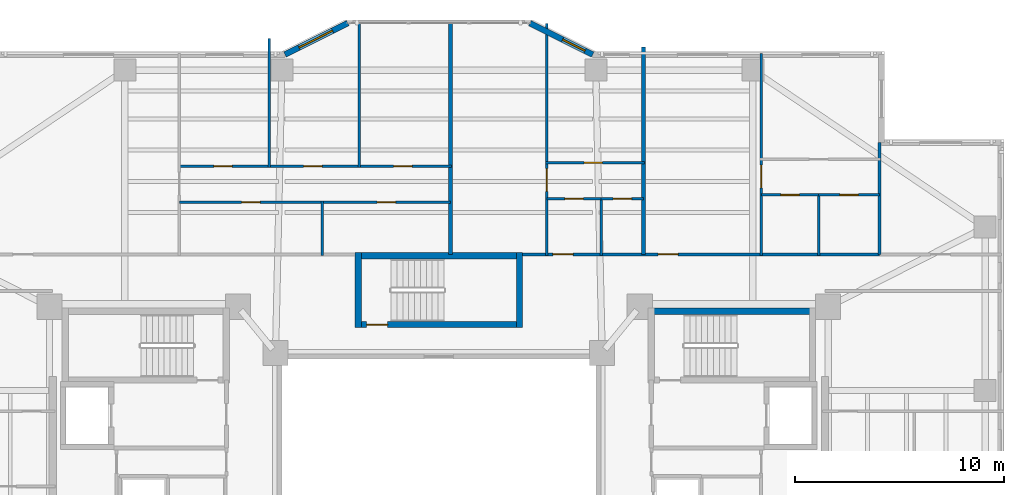
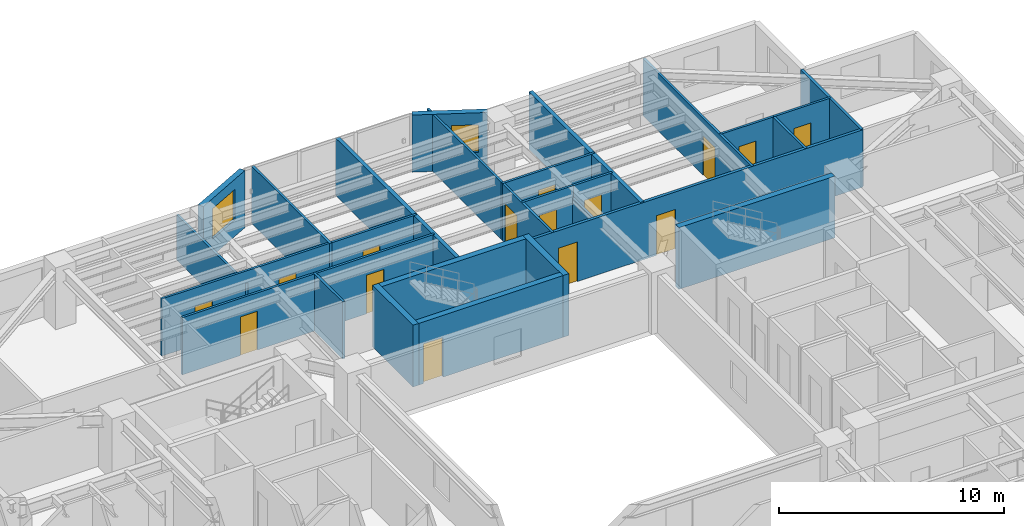
# One storey, part 10 of 18: 26 walls, 15 doors, 2 windows, 17 openings.
"""IFC4 building model written with IfcOpenShell, lengths in metres."""

from ifc_helpers import new_model, si_unit, direction, frame, frame_2d, origin, place, context, subcontext, project, spatial, rectangle, extrude, material, layer, layer_set, type_object, element, fill, save


model = new_model("IFC4")

# Units and contexts
model_context = context("Model", 3, precision=1e-05, world=origin(), true_north=direction((0.0, 1.0)))
body_context = subcontext(model_context, "Body", "Model", "MODEL_VIEW")
ifc_project = project(units=[si_unit("LENGTHUNIT", "METRE"), si_unit("AREAUNIT", "SQUARE_METRE"), si_unit("VOLUMEUNIT", "CUBIC_METRE"), si_unit("PLANEANGLEUNIT", "RADIAN"), si_unit("MASSUNIT", "GRAM", prefix="KILO")], contexts=[model_context])

# Site, building, storey
site_placement = place(None, origin())
site = spatial("IfcSite", under=ifc_project, at=site_placement, CompositionType="ELEMENT")
building_placement = place(site_placement, origin())
building = spatial("IfcBuilding", under=site, at=building_placement, Name="Tarnavaz Court Tower", CompositionType="ELEMENT")
storey_placement = place(building_placement, frame((0.0, 0.0, 95.050048828125)))
storey = spatial("IfcBuildingStorey", under=building, at=storey_placement, Name="L25", CompositionType="ELEMENT", Elevation=95.050048828125)

# Walls
ifc_material_1 = material(Name="Concrete C60/75", Category="concrete")
ifc_layer_1 = layer(ifc_material_1, 0.300048828125)
ifc_layer_set_1 = layer_set([ifc_layer_1], Name="Concrete C60/75")
wall_type_1 = type_object("IfcWallType", Name="WL-CORE-300-C60", PredefinedType="SHEAR", material=ifc_layer_set_1)
for number, where, z_axis, x_axis, name in (
    (1, (10.0, 9.7900390625, 0.0), (0.0, 0.0, 1.0), (1.0, 0.0, 0.0), "L25 East Stair Core Wall 005"),
    (2, (-4.0, 12.43994140625, 0.0), (0.0, 0.0, 1.0), (1.0, 0.0, 0.0), "L25 North Stair Core Wall 009"),
):
    element("IfcWall", number, at=place(storey_placement, frame(where, z_axis=z_axis, x_axis=x_axis)), inside=storey, type_object=wall_type_1, Name=name, PredefinedType="SHEAR", context=body_context, shape_type="SweptSolid", body=[
        extrude(rectangle(XDim=8.0, YDim=0.300048828125, at=frame_2d((4.0, 0.0))), origin(), (0.0, 0.0, 1.0), 3.349853515625),
    ])

# Wall, opening, door
wall_1_placement = place(storey_placement, frame((-4.0, 9.14990234375, 0.0), z_axis=(0.0, 0.0, 1.0), x_axis=(1.0, 0.0, 0.0)))
wall_1 = element("IfcWall", 3, at=wall_1_placement, inside=storey, type_object=wall_type_1, Name="L25 North Stair Core Wall 010", PredefinedType="SHEAR", context=body_context, shape_type="SweptSolid", body=[
    extrude(rectangle(XDim=8.0, YDim=0.300048828125, at=frame_2d((4.0, 0.0))), origin(), (0.0, 0.0, 1.0), 3.349853515625),
])
opening_1_placement = place(wall_1_placement, frame((0.550048828125, 0.0, 0.0)))
opening_1 = element("IfcOpeningElement", 4, at=opening_1_placement, cuts=wall_1, Name="Opening D01", PredefinedType="OPENING", context=body_context, shape_type="SweptSolid", body=[
    extrude(rectangle(XDim=1.0, YDim=2.14990234375, at=frame_2d((0.5, 1.074951171875))), frame((0.0, 0.159912109375, 0.0), z_axis=(0.0, -1.0, 0.0), x_axis=(1.0, 0.0, 0.0)), (0.0, 0.0, 1.0), 0.320068359375),
])
ifc_material_2 = material(Name="Fire-Rated Hardwood Timber Core", Category="wood")
door_type_1 = type_object("IfcDoorType", Name="DR-FD90-1000", OperationType="NOTDEFINED", PredefinedType="DOOR", material=ifc_material_2)
door_1_placement = place(opening_1_placement, origin())
door_1 = element("IfcDoor", 5, at=door_1_placement, inside=storey, type_object=door_type_1, Name="L25 Stair ST-N1 Exit Door", OperationType="SINGLE_SWING_LEFT", OverallHeight=2.14990234375, OverallWidth=1.0, PredefinedType="DOOR", context=body_context, shape_type="SweptSolid", body=[
    extrude(rectangle(XDim=1.0, YDim=2.14990234375, at=frame_2d((0.5, 1.074951171875))), frame((0.0, 0.02490234375, 0.0), z_axis=(0.0, -1.0, 0.0), x_axis=(1.0, 0.0, 0.0)), (0.0, 0.0, 1.0), 0.050048828125),
])
fill(opening_1, door_1)

# Walls
for number, where, z_axis, x_axis, name in (
    (6, (-3.85009765625, 9.0, 0.0), (0.0, 0.0, 1.0), (0.0, 1.0, 0.0), "L25 North Stair Core Wall 011"),
    (7, (3.85009765625, 9.0, 0.0), (0.0, 0.0, 1.0), (0.0, 1.0, 0.0), "L25 North Stair Core Wall 012"),
):
    element("IfcWall", number, at=place(storey_placement, frame(where, z_axis=z_axis, x_axis=x_axis)), inside=storey, type_object=wall_type_1, Name=name, PredefinedType="SHEAR", context=body_context, shape_type="SweptSolid", body=[
        extrude(rectangle(XDim=3.590087890625, YDim=0.300048828125, at=frame_2d((1.794921875, 0.0))), origin(), (0.0, 0.0, 1.0), 3.349853515625),
    ])

# Wall, opening, window
ifc_material_3 = material(Name="Precast Concrete C40/50", Category="concrete")
ifc_layer_2 = layer(ifc_material_3, 0.280029296875)
ifc_layer_set_2 = layer_set([ifc_layer_2], Name="Precast Concrete C40/50")
wall_type_2 = type_object("IfcWallType", Name="WL-EXT-280", PredefinedType="SOLIDWALL", material=ifc_layer_set_2)
wall_2_placement = place(storey_placement, frame((-7.35009765625, 22.050048828125, 0.0), z_axis=(0.0, 0.0, 1.0), x_axis=(0.894427191, 0.4472135955, 0.0)))
wall_2 = element("IfcWall", 8, at=wall_2_placement, inside=storey, type_object=wall_type_2, Name="L25 Exterior Terracotta Facade Wall 06", PredefinedType="SOLIDWALL", context=body_context, shape_type="SweptSolid", body=[
    extrude(rectangle(XDim=3.35400390625, YDim=0.280029296875, at=frame_2d((1.677001953125, 0.0))), origin(), (0.0, 0.0, 1.0), 3.099853515625),
])
opening_2_placement = place(wall_2_placement, frame((0.7470703125, 0.0, 0.89990234375)))
opening_2 = element("IfcOpeningElement", 9, at=opening_2_placement, cuts=wall_2, Name="Opening W01", PredefinedType="OPENING", context=body_context, shape_type="SweptSolid", body=[
    extrude(rectangle(XDim=1.800048828125, YDim=1.64990234375, at=frame_2d((0.89990234375, 0.824951171875))), frame((0.0, 0.14990234375, 0.0), z_axis=(0.0, -1.0, 0.0), x_axis=(1.0, 0.0, 0.0)), (0.0, 0.0, 1.0), 0.300048828125),
])
ifc_material_4 = material(Name="Double-Glazed Solar Low-E Glass", Category="glass")
window_type_1 = type_object("IfcWindowType", Name="WN-APT-1800", PartitioningType="DOUBLE_PANEL_VERTICAL", PredefinedType="WINDOW", material=ifc_material_4)
window_1_placement = place(opening_2_placement, origin())
window_1 = element("IfcWindow", 10, at=window_1_placement, inside=storey, type_object=window_type_1, Name="L25 Flat 01 Bedroom 2 Window", OverallHeight=1.64990234375, OverallWidth=1.800048828125, PartitioningType="SINGLE_PANEL", PredefinedType="WINDOW", context=body_context, shape_type="SweptSolid", body=[
    extrude(rectangle(XDim=1.800048828125, YDim=1.64990234375, at=frame_2d((0.89990234375, 0.824951171875))), frame((0.0, 0.030029296875, 0.0), z_axis=(0.0, -1.0, 0.0), x_axis=(1.0, 0.0, 0.0)), (0.0, 0.0, 1.0), 0.06005859375),
])
fill(opening_2, window_1)

wall_3_placement = place(storey_placement, frame((4.35009765625, 23.550048828125, 0.0), z_axis=(0.0, 0.0, 1.0), x_axis=(0.894427191, -0.4472135955, 0.0)))
wall_3 = element("IfcWall", 11, at=wall_3_placement, inside=storey, type_object=wall_type_2, Name="L25 Exterior Terracotta Facade Wall 08", PredefinedType="SOLIDWALL", context=body_context, shape_type="SweptSolid", body=[
    extrude(rectangle(XDim=3.35400390625, YDim=0.280029296875, at=frame_2d((1.677001953125, 0.0))), origin(), (0.0, 0.0, 1.0), 3.099853515625),
])
opening_3_placement = place(wall_3_placement, frame((1.7529296875, 0.0, 0.949951171875)))
opening_3 = element("IfcOpeningElement", 12, at=opening_3_placement, cuts=wall_3, Name="Opening W05", PredefinedType="OPENING", context=body_context, shape_type="SweptSolid", body=[
    extrude(rectangle(XDim=1.199951171875, YDim=1.5, at=frame_2d((0.60009765625, 0.75))), frame((0.0, 0.14990234375, 0.0), z_axis=(0.0, -1.0, 0.0), x_axis=(1.0, 0.0, 0.0)), (0.0, 0.0, 1.0), 0.300048828125),
])
window_type_2 = type_object("IfcWindowType", Name="WN-APT-1200", PartitioningType="SINGLE_PANEL", PredefinedType="WINDOW", material=ifc_material_4)
window_2_placement = place(opening_3_placement, origin())
window_2 = element("IfcWindow", 13, at=window_2_placement, inside=storey, type_object=window_type_2, Name="L25 Flat 02 Bedroom 1 Window", OverallHeight=1.5, OverallWidth=1.199951171875, PartitioningType="SINGLE_PANEL", PredefinedType="WINDOW", context=body_context, shape_type="SweptSolid", body=[
    extrude(rectangle(XDim=1.199951171875, YDim=1.5, at=frame_2d((0.60009765625, 0.75))), frame((0.0, 0.030029296875, 0.0), z_axis=(0.0, -1.0, 0.0), x_axis=(1.0, 0.0, 0.0)), (0.0, 0.0, 1.0), 0.06005859375),
])
fill(opening_3, window_2)

# Wall, openings, doors
ifc_material_5 = material(Name="Gypsum Fire-Board on Acoustic Metal Stud", Category="masonry")
ifc_layer_3 = layer(ifc_material_5, 0.14990234375)
ifc_layer_set_3 = layer_set([ifc_layer_3], Name="Gypsum Fire-Board on Acoustic Metal Stud")
wall_type_3 = type_object("IfcWallType", Name="WL-FIRE-150", PredefinedType="PARTITIONING", material=ifc_layer_set_3)
wall_4_placement = place(storey_placement, frame((3.85009765625, 12.5, 0.0), z_axis=(0.0, 0.0, 1.0), x_axis=(1.0, 0.0, 0.0)))
wall_4 = element("IfcWall", 14, at=wall_4_placement, inside=storey, type_object=wall_type_3, Name="L25 NE Wing Corridor Wall 072", PredefinedType="PARTITIONING", context=body_context, shape_type="SweptSolid", body=[
    extrude(rectangle(XDim=17.199951171875, YDim=0.14990234375, at=frame_2d((8.60009765625, 0.0))), origin(), (0.0, 0.0, 1.0), 3.099853515625),
])
opening_4_placement = place(wall_4_placement, frame((1.60009765625, 0.0, 0.0)))
opening_4 = element("IfcOpeningElement", 15, at=opening_4_placement, cuts=wall_4, Name="Opening D06", PredefinedType="OPENING", context=body_context, shape_type="SweptSolid", body=[
    extrude(rectangle(XDim=0.9599609375, YDim=2.14990234375, at=frame_2d((0.47998046875, 1.074951171875))), frame((0.0, 0.0849609375, 0.0), z_axis=(0.0, -1.0, 0.0), x_axis=(1.0, 0.0, 0.0)), (0.0, 0.0, 1.0), 0.169921875),
])
opening_5_placement = place(wall_4_placement, frame((6.625, 0.0, 0.0)))
opening_5 = element("IfcOpeningElement", 16, at=opening_5_placement, cuts=wall_4, Name="Opening D06", PredefinedType="OPENING", context=body_context, shape_type="SweptSolid", body=[
    extrude(rectangle(XDim=0.9599609375, YDim=2.14990234375, at=frame_2d((0.47998046875, 1.074951171875))), frame((0.0, 0.0849609375, 0.0), z_axis=(0.0, -1.0, 0.0), x_axis=(1.0, 0.0, 0.0)), (0.0, 0.0, 1.0), 0.169921875),
])
door_type_2 = type_object("IfcDoorType", Name="DR-FD60-950", OperationType="NOTDEFINED", PredefinedType="DOOR", material=ifc_material_2)
door_2_placement = place(opening_4_placement, origin())
door_2 = element("IfcDoor", 17, at=door_2_placement, inside=storey, type_object=door_type_2, Name="L25 Flat 02 Entrance Door", OperationType="SINGLE_SWING_RIGHT", OverallHeight=2.14990234375, OverallWidth=0.9599609375, PredefinedType="DOOR", context=body_context, shape_type="SweptSolid", body=[
    extrude(rectangle(XDim=0.9599609375, YDim=2.14990234375, at=frame_2d((0.47998046875, 1.074951171875))), frame((0.0, 0.02490234375, 0.0), z_axis=(0.0, -1.0, 0.0), x_axis=(1.0, 0.0, 0.0)), (0.0, 0.0, 1.0), 0.050048828125),
])
fill(opening_4, door_2)
door_3_placement = place(opening_5_placement, origin())
door_3 = element("IfcDoor", 18, at=door_3_placement, inside=storey, type_object=door_type_2, Name="L25 Flat 03 Entrance Door", OperationType="SINGLE_SWING_LEFT", OverallHeight=2.14990234375, OverallWidth=0.9599609375, PredefinedType="DOOR", context=body_context, shape_type="SweptSolid", body=[
    extrude(rectangle(XDim=0.9599609375, YDim=2.14990234375, at=frame_2d((0.47998046875, 1.074951171875))), frame((0.0, 0.02490234375, 0.0), z_axis=(0.0, -1.0, 0.0), x_axis=(1.0, 0.0, 0.0)), (0.0, 0.0, 1.0), 0.050048828125),
])
fill(opening_5, door_3)

# Walls
ifc_material_6 = material(Name="Autoclaved Aerated Concrete Blockwork", Category="masonry")
ifc_layer_4 = layer(ifc_material_6, 0.199951171875)
ifc_layer_set_4 = layer_set([ifc_layer_4], Name="Autoclaved Aerated Concrete Blockwork")
wall_type_4 = type_object("IfcWallType", Name="WL-FIRE-200", PredefinedType="SOLIDWALL", material=ifc_layer_set_4)
wall_5_placement = place(storey_placement, frame((0.550048828125, 12.5, 0.0), z_axis=(0.0, 0.0, 1.0), x_axis=(0.0, 1.0, 0.0)))
element("IfcWall", 19, at=wall_5_placement, inside=storey, type_object=wall_type_4, Name="L25 North Center Party Wall 075", PredefinedType="SOLIDWALL", context=body_context, shape_type="SweptSolid", body=[
    extrude(rectangle(XDim=11.080078125, YDim=0.199951171875, at=frame_2d((5.5400390625, 0.0))), origin(), (0.0, 0.0, 1.0), 3.099853515625),
])
wall_6_placement = place(storey_placement, frame((9.77490234375, 12.5, 0.0), z_axis=(0.0, 0.0, 1.0), x_axis=(0.0, 1.0, 0.0)))
element("IfcWall", 20, at=wall_6_placement, inside=storey, type_object=wall_type_4, Name="L25 Party Wall 083", PredefinedType="SOLIDWALL", context=body_context, shape_type="SweptSolid", body=[
    extrude(rectangle(XDim=9.902099609375, YDim=0.199951171875, at=frame_2d((4.951171875, 0.0))), origin(), (0.0, 0.0, 1.0), 3.099853515625),
])

# Wall, opening, door
ifc_material_7 = material(Name="Moisture-Resistant Gypsum Board Partition", Category="masonry")
ifc_layer_5 = layer(ifc_material_7, 0.1201171875)
ifc_layer_set_5 = layer_set([ifc_layer_5], Name="Moisture-Resistant Gypsum Board Partition")
wall_type_5 = type_object("IfcWallType", Name="WL-PART-120", PredefinedType="PARTITIONING", material=ifc_layer_set_5)
wall_7_placement = place(storey_placement, frame((-12.39794921875, 15.0, 0.0), z_axis=(0.0, 0.0, 1.0), x_axis=(1.0, 0.0, 0.0)))
wall_7 = element("IfcWall", 21, at=wall_7_placement, inside=storey, type_object=wall_type_5, Name="L25 Interior Partition 077", PredefinedType="PARTITIONING", context=body_context, shape_type="SweptSolid", body=[
    extrude(rectangle(XDim=6.8310546875, YDim=0.1201171875, at=frame_2d((3.41552734375, 0.0))), origin(), (0.0, 0.0, 1.0), 3.099853515625),
])
opening_6_placement = place(wall_7_placement, frame((2.97509765625, 0.0, 0.0)))
opening_6 = element("IfcOpeningElement", 22, at=opening_6_placement, cuts=wall_7, Name="Opening D14", PredefinedType="OPENING", context=body_context, shape_type="SweptSolid", body=[
    extrude(rectangle(XDim=0.8798828125, YDim=2.10009765625, at=frame_2d((0.43994140625, 1.050048828125))), frame((0.0, 0.070068359375, 0.0), z_axis=(0.0, -1.0, 0.0), x_axis=(1.0, 0.0, 0.0)), (0.0, 0.0, 1.0), 0.14013671875),
])
ifc_material_8 = material(Name="Engineered Oak Timber", Category="wood")
door_type_3 = type_object("IfcDoorType", Name="DR-INT-900", OperationType="NOTDEFINED", PredefinedType="DOOR", material=ifc_material_8)
door_4_placement = place(opening_6_placement, origin())
door_4 = element("IfcDoor", 23, at=door_4_placement, inside=storey, type_object=door_type_3, Name="L25 Flat 01 Kitchen Door", OperationType="SINGLE_SWING_LEFT", OverallHeight=2.10009765625, OverallWidth=0.8798828125, PredefinedType="DOOR", context=body_context, shape_type="SweptSolid", body=[
    extrude(rectangle(XDim=0.8798828125, YDim=2.10009765625, at=frame_2d((0.43994140625, 1.050048828125))), frame((0.0, 0.02490234375, 0.0), z_axis=(0.0, -1.0, 0.0), x_axis=(1.0, 0.0, 0.0)), (0.0, 0.0, 1.0), 0.050048828125),
])
fill(opening_6, door_4)

wall_8_placement = place(storey_placement, frame((-5.56689453125, 15.0, 0.0), z_axis=(0.0, 0.0, 1.0), x_axis=(1.0, 0.0, 0.0)))
wall_8 = element("IfcWall", 24, at=wall_8_placement, inside=storey, type_object=wall_type_5, Name="L25 Interior Partition 078", PredefinedType="PARTITIONING", context=body_context, shape_type="SweptSolid", body=[
    extrude(rectangle(XDim=6.116943359375, YDim=0.1201171875, at=frame_2d((3.05859375, 0.0))), origin(), (0.0, 0.0, 1.0), 3.099853515625),
])
opening_7_placement = place(wall_8_placement, frame((2.618896484375, 0.0, 0.0)))
opening_7 = element("IfcOpeningElement", 25, at=opening_7_placement, cuts=wall_8, Name="Opening D14", PredefinedType="OPENING", context=body_context, shape_type="SweptSolid", body=[
    extrude(rectangle(XDim=0.8798828125, YDim=2.10009765625, at=frame_2d((0.43994140625, 1.050048828125))), frame((0.0, 0.070068359375, 0.0), z_axis=(0.0, -1.0, 0.0), x_axis=(1.0, 0.0, 0.0)), (0.0, 0.0, 1.0), 0.14013671875),
])
door_5_placement = place(opening_7_placement, origin())
door_5 = element("IfcDoor", 26, at=door_5_placement, inside=storey, type_object=door_type_3, Name="L25 Flat 01 Bathroom Door", OperationType="SINGLE_SWING_RIGHT", OverallHeight=2.10009765625, OverallWidth=0.8798828125, PredefinedType="DOOR", context=body_context, shape_type="SweptSolid", body=[
    extrude(rectangle(XDim=0.8798828125, YDim=2.10009765625, at=frame_2d((0.43994140625, 1.050048828125))), frame((0.0, 0.02490234375, 0.0), z_axis=(0.0, -1.0, 0.0), x_axis=(1.0, 0.0, 0.0)), (0.0, 0.0, 1.0), 0.050048828125),
])
fill(opening_7, door_5)

# Wall, openings, doors
wall_9_placement = place(storey_placement, frame((-12.4580078125, 16.7099609375, 0.0), z_axis=(0.0, 0.0, 1.0), x_axis=(1.0, 0.0, 0.0)))
wall_9 = element("IfcWall", 27, at=wall_9_placement, inside=storey, type_object=wall_type_5, Name="L25 Interior Partition 079", PredefinedType="PARTITIONING", context=body_context, shape_type="SweptSolid", body=[
    extrude(rectangle(XDim=13.068115234375, YDim=0.1201171875, at=frame_2d((6.5341796875, 0.0))), origin(), (0.0, 0.0, 1.0), 3.099853515625),
])
opening_8_placement = place(wall_9_placement, frame((1.7080078125, 0.0, 0.0)))
opening_8 = element("IfcOpeningElement", 28, at=opening_8_placement, cuts=wall_9, Name="Opening D14", PredefinedType="OPENING", context=body_context, shape_type="SweptSolid", body=[
    extrude(rectangle(XDim=0.8798828125, YDim=2.10009765625, at=frame_2d((0.43994140625, 1.050048828125))), frame((0.0, 0.070068359375, 0.0), z_axis=(0.0, -1.0, 0.0), x_axis=(1.0, 0.0, 0.0)), (0.0, 0.0, 1.0), 0.14013671875),
])
opening_9_placement = place(wall_9_placement, frame((6.00390625, 0.0, 0.0)))
opening_9 = element("IfcOpeningElement", 29, at=opening_9_placement, cuts=wall_9, Name="Opening D14", PredefinedType="OPENING", context=body_context, shape_type="SweptSolid", body=[
    extrude(rectangle(XDim=0.8798828125, YDim=2.10009765625, at=frame_2d((0.43994140625, 1.050048828125))), frame((0.0, 0.070068359375, 0.0), z_axis=(0.0, -1.0, 0.0), x_axis=(1.0, 0.0, 0.0)), (0.0, 0.0, 1.0), 0.14013671875),
])
opening_10_placement = place(wall_9_placement, frame((10.300048828125, 0.0, 0.0)))
opening_10 = element("IfcOpeningElement", 30, at=opening_10_placement, cuts=wall_9, Name="Opening D14", PredefinedType="OPENING", context=body_context, shape_type="SweptSolid", body=[
    extrude(rectangle(XDim=0.8798828125, YDim=2.10009765625, at=frame_2d((0.43994140625, 1.050048828125))), frame((0.0, 0.070068359375, 0.0), z_axis=(0.0, -1.0, 0.0), x_axis=(1.0, 0.0, 0.0)), (0.0, 0.0, 1.0), 0.14013671875),
])
door_6_placement = place(opening_8_placement, origin())
door_6 = element("IfcDoor", 31, at=door_6_placement, inside=storey, type_object=door_type_3, Name="L25 Flat 01 Bedroom 1 Door", OperationType="SINGLE_SWING_LEFT", OverallHeight=2.10009765625, OverallWidth=0.8798828125, PredefinedType="DOOR", context=body_context, shape_type="SweptSolid", body=[
    extrude(rectangle(XDim=0.8798828125, YDim=2.10009765625, at=frame_2d((0.43994140625, 1.050048828125))), frame((0.0, 0.02490234375, 0.0), z_axis=(0.0, -1.0, 0.0), x_axis=(1.0, 0.0, 0.0)), (0.0, 0.0, 1.0), 0.050048828125),
])
fill(opening_8, door_6)
door_7_placement = place(opening_9_placement, origin())
door_7 = element("IfcDoor", 32, at=door_7_placement, inside=storey, type_object=door_type_3, Name="L25 Flat 01 Bedroom 2 Door", OperationType="SINGLE_SWING_RIGHT", OverallHeight=2.10009765625, OverallWidth=0.8798828125, PredefinedType="DOOR", context=body_context, shape_type="SweptSolid", body=[
    extrude(rectangle(XDim=0.8798828125, YDim=2.10009765625, at=frame_2d((0.43994140625, 1.050048828125))), frame((0.0, 0.02490234375, 0.0), z_axis=(0.0, -1.0, 0.0), x_axis=(1.0, 0.0, 0.0)), (0.0, 0.0, 1.0), 0.050048828125),
])
fill(opening_9, door_7)
door_8_placement = place(opening_10_placement, origin())
door_8 = element("IfcDoor", 33, at=door_8_placement, inside=storey, type_object=door_type_3, Name="L25 Flat 01 Bedroom 3 Door", OperationType="SINGLE_SWING_LEFT", OverallHeight=2.10009765625, OverallWidth=0.8798828125, PredefinedType="DOOR", context=body_context, shape_type="SweptSolid", body=[
    extrude(rectangle(XDim=0.8798828125, YDim=2.10009765625, at=frame_2d((0.43994140625, 1.050048828125))), frame((0.0, 0.02490234375, 0.0), z_axis=(0.0, -1.0, 0.0), x_axis=(1.0, 0.0, 0.0)), (0.0, 0.0, 1.0), 0.050048828125),
])
fill(opening_10, door_8)

# Walls
wall_10_placement = place(storey_placement, frame((-5.56689453125, 12.43994140625, 0.0), z_axis=(0.0, 0.0, 1.0), x_axis=(0.0, 1.0, 0.0)))
element("IfcWall", 34, at=wall_10_placement, inside=storey, type_object=wall_type_5, Name="L25 Interior Partition 080", PredefinedType="PARTITIONING", context=body_context, shape_type="SweptSolid", body=[
    extrude(rectangle(XDim=2.6201171875, YDim=0.1201171875, at=frame_2d((1.31005859375, 0.0))), origin(), (0.0, 0.0, 1.0), 3.099853515625),
])
wall_11_placement = place(storey_placement, frame((-8.10205078125, 16.64990234375, 0.0), z_axis=(0.0, 0.0, 1.0), x_axis=(0.0, 1.0, 0.0)))
element("IfcWall", 35, at=wall_11_placement, inside=storey, type_object=wall_type_5, Name="L25 Interior Partition 081", PredefinedType="PARTITIONING", context=body_context, shape_type="SweptSolid", body=[
    extrude(rectangle(XDim=6.1650390625, YDim=0.1201171875, at=frame_2d((3.08251953125, 0.0))), origin(), (0.0, 0.0, 1.0), 2.43505859375),
])
wall_12_placement = place(storey_placement, frame((-3.805908203125, 16.64990234375, 0.0), z_axis=(0.0, 0.0, 1.0), x_axis=(0.0, 1.0, 0.0)))
element("IfcWall", 36, at=wall_12_placement, inside=storey, type_object=wall_type_5, Name="L25 Interior Partition 082", PredefinedType="PARTITIONING", context=body_context, shape_type="SweptSolid", body=[
    extrude(rectangle(XDim=6.93017578125, YDim=0.1201171875, at=frame_2d((3.465087890625, 0.0))), origin(), (0.0, 0.0, 1.0), 3.099853515625),
])

# Wall, opening, door
wall_13_placement = place(storey_placement, frame((5.1630859375, 12.43994140625, 0.0), z_axis=(0.0, 0.0, 1.0), x_axis=(0.0, 1.0, 0.0)))
wall_13 = element("IfcWall", 37, at=wall_13_placement, inside=storey, type_object=wall_type_5, Name="L25 Interior Partition 084", PredefinedType="PARTITIONING", context=body_context, shape_type="SweptSolid", body=[
    extrude(rectangle(XDim=11.10009765625, YDim=0.1201171875, at=frame_2d((5.550048828125, 0.0))), origin(), (0.0, 0.0, 1.0), 3.099853515625),
])
opening_11_placement = place(wall_13_placement, frame((3.074951171875, 0.0, 0.0)))
opening_11 = element("IfcOpeningElement", 38, at=opening_11_placement, cuts=wall_13, Name="Opening D12", PredefinedType="OPENING", context=body_context, shape_type="SweptSolid", body=[
    extrude(rectangle(XDim=1.080078125, YDim=2.14990234375, at=frame_2d((0.5400390625, 1.074951171875))), frame((0.0, 0.070068359375, 0.0), z_axis=(0.0, -1.0, 0.0), x_axis=(1.0, 0.0, 0.0)), (0.0, 0.0, 1.0), 0.14013671875),
])
door_type_4 = type_object("IfcDoorType", Name="DR-INT-1100", OperationType="NOTDEFINED", PredefinedType="DOOR", material=ifc_material_8)
door_9_placement = place(opening_11_placement, origin())
door_9 = element("IfcDoor", 39, at=door_9_placement, inside=storey, type_object=door_type_4, Name="L25 Flat 02 Foyer Door", OperationType="SINGLE_SWING_LEFT", OverallHeight=2.14990234375, OverallWidth=1.080078125, PredefinedType="DOOR", context=body_context, shape_type="SweptSolid", body=[
    extrude(rectangle(XDim=1.080078125, YDim=2.14990234375, at=frame_2d((0.5400390625, 1.074951171875))), frame((0.0, 0.02490234375, 0.0), z_axis=(0.0, -1.0, 0.0), x_axis=(1.0, 0.0, 0.0)), (0.0, 0.0, 1.0), 0.050048828125),
])
fill(opening_11, door_9)

wall_14_placement = place(storey_placement, frame((5.1630859375, 15.169921875, 0.0), z_axis=(0.0, 0.0, 1.0), x_axis=(1.0, 0.0, 0.0)))
wall_14 = element("IfcWall", 40, at=wall_14_placement, inside=storey, type_object=wall_type_5, Name="L25 Interior Partition 085", PredefinedType="PARTITIONING", context=body_context, shape_type="SweptSolid", body=[
    extrude(rectangle(XDim=2.594970703125, YDim=0.1201171875, at=frame_2d((1.29736328125, 0.0))), origin(), (0.0, 0.0, 1.0), 3.099853515625),
])
opening_12_placement = place(wall_14_placement, frame((0.85693359375, 0.0, 0.0)))
opening_12 = element("IfcOpeningElement", 41, at=opening_12_placement, cuts=wall_14, Name="Opening D14", PredefinedType="OPENING", context=body_context, shape_type="SweptSolid", body=[
    extrude(rectangle(XDim=0.8798828125, YDim=2.10009765625, at=frame_2d((0.43994140625, 1.050048828125))), frame((0.0, 0.070068359375, 0.0), z_axis=(0.0, -1.0, 0.0), x_axis=(1.0, 0.0, 0.0)), (0.0, 0.0, 1.0), 0.14013671875),
])
door_10_placement = place(opening_12_placement, origin())
door_10 = element("IfcDoor", 42, at=door_10_placement, inside=storey, type_object=door_type_3, Name="L25 Flat 02 Kitchen Door", OperationType="SINGLE_SWING_RIGHT", OverallHeight=2.10009765625, OverallWidth=0.8798828125, PredefinedType="DOOR", context=body_context, shape_type="SweptSolid", body=[
    extrude(rectangle(XDim=0.8798828125, YDim=2.10009765625, at=frame_2d((0.43994140625, 1.050048828125))), frame((0.0, 0.02490234375, 0.0), z_axis=(0.0, -1.0, 0.0), x_axis=(1.0, 0.0, 0.0)), (0.0, 0.0, 1.0), 0.050048828125),
])
fill(opening_12, door_10)

wall_15_placement = place(storey_placement, frame((7.758056640625, 15.169921875, 0.0), z_axis=(0.0, 0.0, 1.0), x_axis=(1.0, 0.0, 0.0)))
wall_15 = element("IfcWall", 43, at=wall_15_placement, inside=storey, type_object=wall_type_5, Name="L25 Interior Partition 086", PredefinedType="PARTITIONING", context=body_context, shape_type="SweptSolid", body=[
    extrude(rectangle(XDim=2.016845703125, YDim=0.1201171875, at=frame_2d((1.00830078125, 0.0))), origin(), (0.0, 0.0, 1.0), 3.099853515625),
])
opening_13_placement = place(wall_15_placement, frame((0.569091796875, 0.0, 0.0)))
opening_13 = element("IfcOpeningElement", 44, at=opening_13_placement, cuts=wall_15, Name="Opening D14", PredefinedType="OPENING", context=body_context, shape_type="SweptSolid", body=[
    extrude(rectangle(XDim=0.8798828125, YDim=2.10009765625, at=frame_2d((0.43994140625, 1.050048828125))), frame((0.0, 0.070068359375, 0.0), z_axis=(0.0, -1.0, 0.0), x_axis=(1.0, 0.0, 0.0)), (0.0, 0.0, 1.0), 0.14013671875),
])
door_11_placement = place(opening_13_placement, origin())
door_11 = element("IfcDoor", 45, at=door_11_placement, inside=storey, type_object=door_type_3, Name="L25 Flat 02 Bathroom Door", OperationType="SINGLE_SWING_LEFT", OverallHeight=2.10009765625, OverallWidth=0.8798828125, PredefinedType="DOOR", context=body_context, shape_type="SweptSolid", body=[
    extrude(rectangle(XDim=0.8798828125, YDim=2.10009765625, at=frame_2d((0.43994140625, 1.050048828125))), frame((0.0, 0.02490234375, 0.0), z_axis=(0.0, -1.0, 0.0), x_axis=(1.0, 0.0, 0.0)), (0.0, 0.0, 1.0), 0.050048828125),
])
fill(opening_13, door_11)

wall_16_placement = place(storey_placement, frame((5.10302734375, 16.8798828125, 0.0), z_axis=(0.0, 0.0, 1.0), x_axis=(1.0, 0.0, 0.0)))
wall_16 = element("IfcWall", 46, at=wall_16_placement, inside=storey, type_object=wall_type_5, Name="L25 Interior Partition 087", PredefinedType="PARTITIONING", context=body_context, shape_type="SweptSolid", body=[
    extrude(rectangle(XDim=4.73193359375, YDim=0.1201171875, at=frame_2d((2.365966796875, 0.0))), origin(), (0.0, 0.0, 1.0), 3.099853515625),
])
opening_14_placement = place(wall_16_placement, frame((1.8359375, 0.0, 0.0)))
opening_14 = element("IfcOpeningElement", 47, at=opening_14_placement, cuts=wall_16, Name="Opening D14", PredefinedType="OPENING", context=body_context, shape_type="SweptSolid", body=[
    extrude(rectangle(XDim=0.8798828125, YDim=2.10009765625, at=frame_2d((0.43994140625, 1.050048828125))), frame((0.0, 0.070068359375, 0.0), z_axis=(0.0, -1.0, 0.0), x_axis=(1.0, 0.0, 0.0)), (0.0, 0.0, 1.0), 0.14013671875),
])
door_12_placement = place(opening_14_placement, origin())
door_12 = element("IfcDoor", 48, at=door_12_placement, inside=storey, type_object=door_type_3, Name="L25 Flat 02 Bedroom 1 Door", OperationType="SINGLE_SWING_RIGHT", OverallHeight=2.10009765625, OverallWidth=0.8798828125, PredefinedType="DOOR", context=body_context, shape_type="SweptSolid", body=[
    extrude(rectangle(XDim=0.8798828125, YDim=2.10009765625, at=frame_2d((0.43994140625, 1.050048828125))), frame((0.0, 0.02490234375, 0.0), z_axis=(0.0, -1.0, 0.0), x_axis=(1.0, 0.0, 0.0)), (0.0, 0.0, 1.0), 0.050048828125),
])
fill(opening_14, door_12)

# Wall
wall_17_placement = place(storey_placement, frame((7.758056640625, 12.43994140625, 0.0), z_axis=(0.0, 0.0, 1.0), x_axis=(0.0, 1.0, 0.0)))
element("IfcWall", 49, at=wall_17_placement, inside=storey, type_object=wall_type_5, Name="L25 Interior Partition 088", PredefinedType="PARTITIONING", context=body_context, shape_type="SweptSolid", body=[
    extrude(rectangle(XDim=2.7900390625, YDim=0.1201171875, at=frame_2d((1.39501953125, 0.0))), origin(), (0.0, 0.0, 1.0), 2.43505859375),
])

# Wall, opening, door
wall_18_placement = place(storey_placement, frame((15.4130859375, 12.43994140625, 0.0), z_axis=(0.0, 0.0, 1.0), x_axis=(0.0, 1.0, 0.0)))
wall_18 = element("IfcWall", 50, at=wall_18_placement, inside=storey, type_object=wall_type_5, Name="L25 Interior Partition 089", PredefinedType="PARTITIONING", context=body_context, shape_type="SweptSolid", body=[
    extrude(rectangle(XDim=9.66015625, YDim=0.1201171875, at=frame_2d((4.830078125, 0.0))), origin(), (0.0, 0.0, 1.0), 3.099853515625),
])
opening_15_placement = place(wall_18_placement, frame((3.2451171875, 0.0, 0.0)))
opening_15 = element("IfcOpeningElement", 51, at=opening_15_placement, cuts=wall_18, Name="Opening D12", PredefinedType="OPENING", context=body_context, shape_type="SweptSolid", body=[
    extrude(rectangle(XDim=1.080078125, YDim=2.14990234375, at=frame_2d((0.5400390625, 1.074951171875))), frame((0.0, 0.070068359375, 0.0), z_axis=(0.0, -1.0, 0.0), x_axis=(1.0, 0.0, 0.0)), (0.0, 0.0, 1.0), 0.14013671875),
])
door_13_placement = place(opening_15_placement, origin())
door_13 = element("IfcDoor", 52, at=door_13_placement, inside=storey, type_object=door_type_4, Name="L25 Flat 03 Foyer Door", OperationType="SINGLE_SWING_RIGHT", OverallHeight=2.14990234375, OverallWidth=1.080078125, PredefinedType="DOOR", context=body_context, shape_type="SweptSolid", body=[
    extrude(rectangle(XDim=1.080078125, YDim=2.14990234375, at=frame_2d((0.5400390625, 1.074951171875))), frame((0.0, 0.02490234375, 0.0), z_axis=(0.0, -1.0, 0.0), x_axis=(1.0, 0.0, 0.0)), (0.0, 0.0, 1.0), 0.050048828125),
])
fill(opening_15, door_13)

wall_19_placement = place(storey_placement, frame((15.4130859375, 15.340087890625, 0.0), z_axis=(0.0, 0.0, 1.0), x_axis=(1.0, 0.0, 0.0)))
wall_19 = element("IfcWall", 53, at=wall_19_placement, inside=storey, type_object=wall_type_5, Name="L25 Interior Partition 090", PredefinedType="PARTITIONING", context=body_context, shape_type="SweptSolid", body=[
    extrude(rectangle(XDim=2.73291015625, YDim=0.1201171875, at=frame_2d((1.366455078125, 0.0))), origin(), (0.0, 0.0, 1.0), 3.099853515625),
])
opening_16_placement = place(wall_19_placement, frame((0.927001953125, 0.0, 0.0)))
opening_16 = element("IfcOpeningElement", 54, at=opening_16_placement, cuts=wall_19, Name="Opening D14", PredefinedType="OPENING", context=body_context, shape_type="SweptSolid", body=[
    extrude(rectangle(XDim=0.8798828125, YDim=2.10009765625, at=frame_2d((0.43994140625, 1.050048828125))), frame((0.0, 0.070068359375, 0.0), z_axis=(0.0, -1.0, 0.0), x_axis=(1.0, 0.0, 0.0)), (0.0, 0.0, 1.0), 0.14013671875),
])
door_14_placement = place(opening_16_placement, origin())
door_14 = element("IfcDoor", 55, at=door_14_placement, inside=storey, type_object=door_type_3, Name="L25 Flat 03 Kitchen Door", OperationType="SINGLE_SWING_LEFT", OverallHeight=2.10009765625, OverallWidth=0.8798828125, PredefinedType="DOOR", context=body_context, shape_type="SweptSolid", body=[
    extrude(rectangle(XDim=0.8798828125, YDim=2.10009765625, at=frame_2d((0.43994140625, 1.050048828125))), frame((0.0, 0.02490234375, 0.0), z_axis=(0.0, -1.0, 0.0), x_axis=(1.0, 0.0, 0.0)), (0.0, 0.0, 1.0), 0.050048828125),
])
fill(opening_16, door_14)

wall_20_placement = place(storey_placement, frame((18.14599609375, 15.340087890625, 0.0), z_axis=(0.0, 0.0, 1.0), x_axis=(1.0, 0.0, 0.0)))
wall_20 = element("IfcWall", 56, at=wall_20_placement, inside=storey, type_object=wall_type_5, Name="L25 Interior Partition 091", PredefinedType="PARTITIONING", context=body_context, shape_type="SweptSolid", body=[
    extrude(rectangle(XDim=2.904052734375, YDim=0.1201171875, at=frame_2d((1.4521484375, 0.0))), origin(), (0.0, 0.0, 1.0), 3.099853515625),
])
opening_17_placement = place(wall_20_placement, frame((1.011962890625, 0.0, 0.0)))
opening_17 = element("IfcOpeningElement", 57, at=opening_17_placement, cuts=wall_20, Name="Opening D14", PredefinedType="OPENING", context=body_context, shape_type="SweptSolid", body=[
    extrude(rectangle(XDim=0.8798828125, YDim=2.10009765625, at=frame_2d((0.43994140625, 1.050048828125))), frame((0.0, 0.070068359375, 0.0), z_axis=(0.0, -1.0, 0.0), x_axis=(1.0, 0.0, 0.0)), (0.0, 0.0, 1.0), 0.14013671875),
])
door_15_placement = place(opening_17_placement, origin())
door_15 = element("IfcDoor", 58, at=door_15_placement, inside=storey, type_object=door_type_3, Name="L25 Flat 03 Bathroom Door", OperationType="SINGLE_SWING_RIGHT", OverallHeight=2.10009765625, OverallWidth=0.8798828125, PredefinedType="DOOR", context=body_context, shape_type="SweptSolid", body=[
    extrude(rectangle(XDim=0.8798828125, YDim=2.10009765625, at=frame_2d((0.43994140625, 1.050048828125))), frame((0.0, 0.02490234375, 0.0), z_axis=(0.0, -1.0, 0.0), x_axis=(1.0, 0.0, 0.0)), (0.0, 0.0, 1.0), 0.050048828125),
])
fill(opening_17, door_15)

# Walls
wall_21_placement = place(storey_placement, frame((18.14599609375, 12.43994140625, 0.0), z_axis=(0.0, 0.0, 1.0), x_axis=(0.0, 1.0, 0.0)))
element("IfcWall", 59, at=wall_21_placement, inside=storey, type_object=wall_type_5, Name="L25 Interior Partition 093", PredefinedType="PARTITIONING", context=body_context, shape_type="SweptSolid", body=[
    extrude(rectangle(XDim=2.9599609375, YDim=0.1201171875, at=frame_2d((1.47998046875, 0.0))), origin(), (0.0, 0.0, 1.0), 3.099853515625),
])
ifc_material_9 = material(Name="Gypsum Plasterboard Acoustic Partition", Category="masonry")
ifc_layer_6 = layer(ifc_material_9, 0.139892578125)
ifc_layer_set_6 = layer_set([ifc_layer_6], Name="Gypsum Plasterboard Acoustic Partition")
wall_type_6 = type_object("IfcWallType", Name="WL-PART-150", PredefinedType="PARTITIONING", material=ifc_layer_set_6)
wall_22_placement = place(storey_placement, frame((21.050048828125, 12.5, 0.0), z_axis=(0.0, 0.0, 1.0), x_axis=(0.0, 1.0, 0.0)))
element("IfcWall", 60, at=wall_22_placement, inside=storey, type_object=wall_type_6, Name="L25 Interior Partition 115", PredefinedType="PARTITIONING", context=body_context, shape_type="SweptSolid", body=[
    extrude(rectangle(XDim=5.35009765625, YDim=0.139892578125, at=frame_2d((2.675048828125, 0.0))), origin(), (0.0, 0.0, 1.0), 3.099853515625),
])

save(model, "model.ifc")
